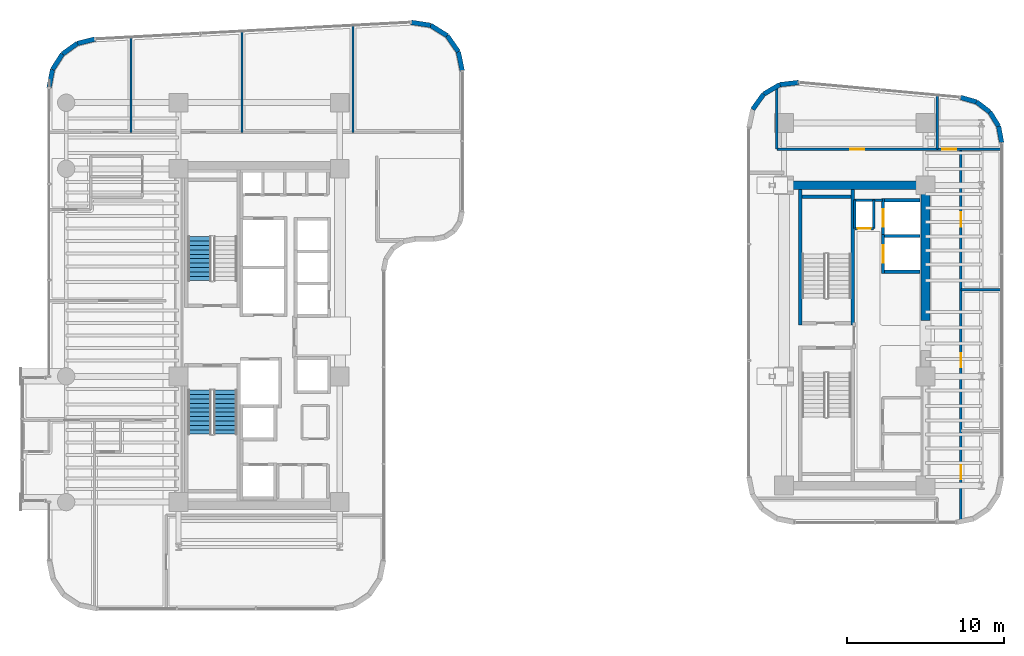
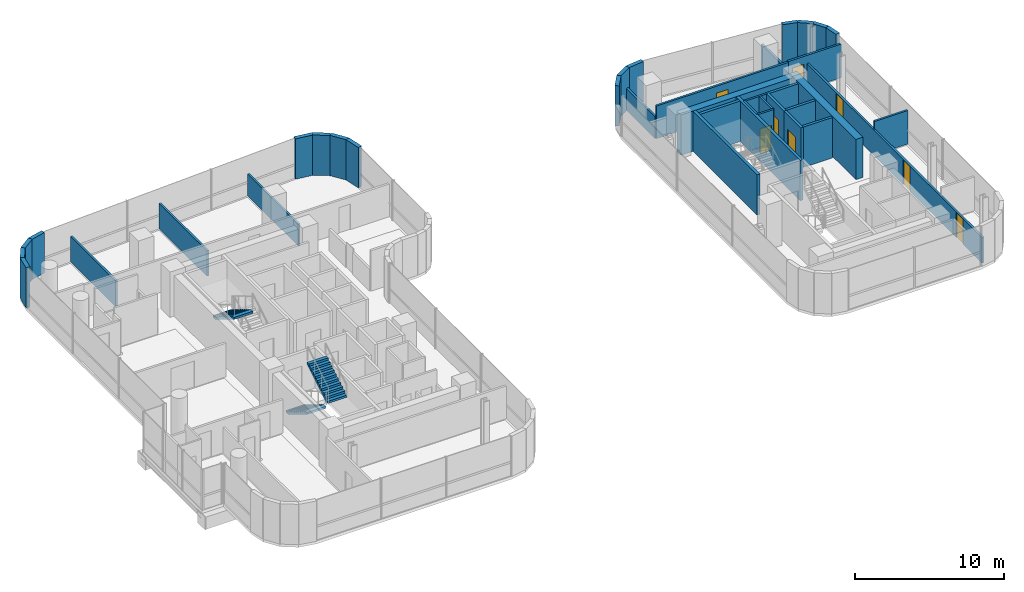
# One storey, part 30 of 35: 38 walls, 8 doors, 3 stair flights, 8 openings, 2 elements without a shape of their own.
"""IFC4 building model written with IfcOpenShell, lengths in metres."""

import ifcopenshell
import ifcopenshell.guid

model = None  # the IFC model being written
_history = None  # IfcOwnerHistory: only IFC2X3 demands one
_inside = {}  # id of a spatial element -> (the spatial element, [elements in it])
_under = {}  # id of a project, library or spatial element -> (it, [spatial elements below it])
_declared = {}  # id of a project -> (the project, [libraries it declares])
_typed = {}  # id of a type object -> (the type object, [elements of that type])
_made_of = {}  # id of a material, layer set ... -> (it, [elements and type objects made of it])


def new_model(schema):
    """Start an empty IFC model of exactly this schema.

    Asked for "IFC4X3", IfcOpenShell would pick the latest addendum, in which some entities
    have other attributes; the version numbers below select the first issue.
    IFC2X3 requires an IfcOwnerHistory on every rooted entity: one is made here for all.
    """
    global model, _history
    if schema == "IFC4X3":
        model = ifcopenshell.file(schema_version=(4, 3, 0, 0))
    else:
        model = ifcopenshell.file(schema=schema)
    _inside.clear()
    _under.clear()
    _declared.clear()
    _typed.clear()
    _made_of.clear()
    _history = None
    if model.schema == "IFC2X3":
        org = make("IfcOrganization", Name="unknown")
        user = make(
            "IfcPersonAndOrganization",
            ThePerson=make("IfcPerson", FamilyName="unknown"),
            TheOrganization=org,
        )
        app = make(
            "IfcApplication",
            ApplicationDeveloper=org,
            Version="unknown",
            ApplicationFullName="unknown",
            ApplicationIdentifier="unknown",
        )
        _history = make(
            "IfcOwnerHistory",
            OwningUser=user,
            OwningApplication=app,
            ChangeAction="ADDED",
            CreationDate=0,
        )
    return model


def make(cls, **values):
    """One entity of the class cls with the attributes given. An attribute that is None is left unset."""
    return model.create_entity(
        cls, **{name: value for name, value in values.items() if value is not None}
    )


def rooted(cls, **values):
    """An entity with a GlobalId (a new one), such as an element, a storey or a relation."""
    return make(cls, GlobalId=ifcopenshell.guid.new(), OwnerHistory=_history, **values)


def si_unit(unit_type, name, prefix=None):
    """IfcSIUnit, for example si_unit("LENGTHUNIT", "METRE", prefix="MILLI")."""
    return make("IfcSIUnit", UnitType=unit_type, Prefix=prefix, Name=name)


def assignment(units):
    """IfcUnitAssignment: the units of a project."""
    return None if units is None else make("IfcUnitAssignment", Units=units)


def point(xyz):
    """IfcCartesianPoint."""
    return None if xyz is None else make("IfcCartesianPoint", Coordinates=xyz)


def direction(xyz):
    """IfcDirection."""
    return None if xyz is None else make("IfcDirection", DirectionRatios=xyz)


def frame(location, z_axis=None, x_axis=None):
    """IfcAxis2Placement3D, a coordinate frame: its origin and axes. An axis left out is left unset."""
    return make(
        "IfcAxis2Placement3D",
        Location=point(location),
        Axis=direction(z_axis),
        RefDirection=direction(x_axis),
    )


def frame_2d(location, x_axis=None):
    """IfcAxis2Placement2D, a coordinate frame in the plane: its origin and x axis."""
    return make(
        "IfcAxis2Placement2D", Location=point(location), RefDirection=direction(x_axis)
    )


def origin():
    """The frame at (0, 0, 0) with its axes left unset."""
    return frame((0.0, 0.0, 0.0))


def place(relative_to, where):
    """IfcLocalPlacement: puts the frame where relative to a parent placement (None: the world)."""
    return make(
        "IfcLocalPlacement", PlacementRelTo=relative_to, RelativePlacement=where
    )


def context(
    kind, dimensions, precision=None, world=None, true_north=None, identifier=None
):
    """IfcGeometricRepresentationContext, for example the 3D "Model" context."""
    return make(
        "IfcGeometricRepresentationContext",
        ContextIdentifier=identifier,
        ContextType=kind,
        CoordinateSpaceDimension=dimensions,
        Precision=precision,
        WorldCoordinateSystem=world,
        TrueNorth=true_north,
    )


def subcontext(parent, identifier, kind, view, scale=None):
    """IfcGeometricRepresentationSubContext, for example "Body" below "Model"."""
    return make(
        "IfcGeometricRepresentationSubContext",
        ContextIdentifier=identifier,
        ContextType=kind,
        ParentContext=parent,
        TargetScale=scale,
        TargetView=view,
    )


def project(units=None, contexts=None):
    """IfcProject with its units and contexts."""
    return rooted(
        "IfcProject",
        Name="project",
        RepresentationContexts=contexts,
        UnitsInContext=assignment(units),
    )


def spatial(cls, under=None, at=None, **own):
    """A site, building, storey or space (cls), placed at a placement, below another one or the project."""
    s = rooted(cls, ObjectPlacement=at, **own)
    if under is not None:
        _under.setdefault(under.id(), (under, []))[1].append(s)
    return s


def polyline(points):
    """IfcPolyline through the points."""
    return make("IfcPolyline", Points=[point(p) for p in points])


def profile(cls, at=None, kind="AREA", **sizes):
    """A parametric profile (cls). Its sizes go by their IFC names, for example OverallWidth=200.0."""
    return make(cls, ProfileType=kind, Position=at, **sizes)


def rectangle(**sizes):
    """IfcRectangleProfileDef."""
    return profile("IfcRectangleProfileDef", **sizes)


def outline(outer, holes=None, kind="AREA"):
    """IfcArbitraryClosedProfileDef: a profile drawn as a closed curve; with holes, ...WithVoids."""
    if holes is None:
        return make("IfcArbitraryClosedProfileDef", ProfileType=kind, OuterCurve=outer)
    return make(
        "IfcArbitraryProfileDefWithVoids",
        ProfileType=kind,
        OuterCurve=outer,
        InnerCurves=holes,
    )


def extrude(swept, where, along, depth):
    """IfcExtrudedAreaSolid: the profile swept, set in the frame where, extruded along a direction by depth."""
    return make(
        "IfcExtrudedAreaSolid",
        SweptArea=swept,
        Position=where,
        ExtrudedDirection=direction(along),
        Depth=depth,
    )


def shape(context_of_items, identifier, shape_type, items):
    """IfcShapeRepresentation: the items that make up one representation, for example the "Body"."""
    return make(
        "IfcShapeRepresentation",
        ContextOfItems=context_of_items,
        RepresentationIdentifier=identifier,
        RepresentationType=shape_type,
        Items=items,
    )


def material(Name=None, Category=None):
    """IfcMaterial."""
    return make("IfcMaterial", Name=Name, Category=Category)


def layer(
    of_material, thickness, ventilated=None, Name=None, Category=None, Priority=None
):
    """IfcMaterialLayer: one layer of a wall or slab, of a material (None: an air gap)."""
    return make(
        "IfcMaterialLayer",
        Material=of_material,
        LayerThickness=thickness,
        IsVentilated=ventilated,
        Name=Name,
        Category=Category,
        Priority=Priority,
    )


def layer_set(layers, Name=None):
    """IfcMaterialLayerSet."""
    return make("IfcMaterialLayerSet", MaterialLayers=layers, LayerSetName=Name)


def made_of(thing, what):
    """Note that an element or type object is made of a material, layer set ...; save() writes the relation."""
    if what is not None:
        _made_of.setdefault(what.id(), (what, []))[1].append(thing)
    return thing


def type_object(cls, material=None, **own):
    """A type object (cls), such as IfcWallType, which elements share."""
    return made_of(rooted(cls, **own), material)


def element(
    cls,
    number,
    at=None,
    inside=None,
    cuts=None,
    type_object=None,
    material=None,
    context=None,
    identifier="Body",
    shape_type=None,
    held_by="IfcProductDefinitionShape",
    body=None,
    shapes=None,
    **own,
):
    """One element of the class cls, such as IfcWall. Its Tag is "e" and its number.

    at: its placement. inside: the storey or other place that contains it. cuts: it is an
    opening in that element (IfcRelVoidsElement). A single representation is given by context,
    identifier, shape_type and body (its items); several are given by shapes. held_by: the class
    of the entity that holds the representations. save() writes the other relations.
    """
    e = rooted(cls, Tag="e%d" % number, ObjectPlacement=at, **own)
    if body is not None:
        shapes = [shape(context, identifier, shape_type, body)]
    if shapes is not None:
        e.Representation = make(held_by, Representations=shapes)
    if inside is not None:
        _inside.setdefault(inside.id(), (inside, []))[1].append(e)
    if cuts is not None:
        rooted(
            "IfcRelVoidsElement", RelatingBuildingElement=cuts, RelatedOpeningElement=e
        )
    if type_object is not None:
        _typed.setdefault(type_object.id(), (type_object, []))[1].append(e)
    return made_of(e, material)


def fill(opening, filler):
    """IfcRelFillsElement: the door or window that sits in an opening."""
    return rooted(
        "IfcRelFillsElement",
        RelatingOpeningElement=opening,
        RelatedBuildingElement=filler,
    )


def aggregate(whole, parts):
    """IfcRelAggregates: a whole, such as a stair, and the parts it consists of."""
    return rooted("IfcRelAggregates", RelatingObject=whole, RelatedObjects=parts)


def save(model, path):
    """Write the relations noted so far, then the file.

    IfcRelAggregates (storeys below a building ...), IfcRelContainedInSpatialStructure (elements
    in a storey), IfcRelDefinesByType, IfcRelAssociatesMaterial and IfcRelDeclares: one each for
    every whole, place, type object, material and project.
    """
    for whole, parts in _under.values():
        aggregate(whole, parts)
    for where, things in _inside.values():
        rooted(
            "IfcRelContainedInSpatialStructure",
            RelatedElements=things,
            RelatingStructure=where,
        )
    for kind, things in _typed.values():
        rooted("IfcRelDefinesByType", RelatedObjects=things, RelatingType=kind)
    for what, things in _made_of.values():
        rooted("IfcRelAssociatesMaterial", RelatedObjects=things, RelatingMaterial=what)
    for by, libraries in _declared.values():
        rooted("IfcRelDeclares", RelatingContext=by, RelatedDefinitions=libraries)
    model.write(path)


model = new_model("IFC4")

# Units and contexts
model_context = context("Model", 3, precision=1e-05, world=origin(), true_north=direction((0.0, 1.0)))
body_context = subcontext(model_context, "Body", "Model", "MODEL_VIEW")
ifc_project = project(units=[si_unit("LENGTHUNIT", "METRE"), si_unit("AREAUNIT", "SQUARE_METRE"), si_unit("VOLUMEUNIT", "CUBIC_METRE"), si_unit("PLANEANGLEUNIT", "RADIAN"), si_unit("MASSUNIT", "GRAM", prefix="KILO")], contexts=[model_context])

# Site, building, storey
site_placement = place(None, origin())
site = spatial("IfcSite", under=ifc_project, at=site_placement, CompositionType="ELEMENT")
building_placement = place(site_placement, origin())
building = spatial("IfcBuilding", under=site, at=building_placement, Name="Valdorenza Pilgrim Sanctuary Tower", CompositionType="ELEMENT")
storey_placement = place(building_placement, frame((0.0, 0.0, 168.60009765625)))
storey = spatial("IfcBuildingStorey", under=building, at=storey_placement, Name="L43", CompositionType="ELEMENT", Elevation=168.60009765625)

# Wall, opening, door
ifc_material_1 = material(Name="Acoustic twin-stud gypsum partition", Category="gypsum")
ifc_layer_1 = layer(ifc_material_1, 0.159912109375, Name="Acoustic twin-stud gypsum partition")
ifc_layer_set_1 = layer_set([ifc_layer_1], Name="Acoustic twin-stud gypsum partition")
wall_type_1 = type_object("IfcWallType", Name="WAL-COR-160", PredefinedType="PARTITIONING", material=ifc_layer_set_1)
wall_1_placement = place(storey_placement, frame((20.35009765625, 6.800048828125, 0.0), z_axis=(0.0, 0.0, 1.0), x_axis=(1.0, 0.0, 0.0)))
wall_1 = element("IfcWall", 1, at=wall_1_placement, inside=storey, type_object=wall_type_1, Name="L43 Core B Riser South Wall", PredefinedType="PARTITIONING", context=body_context, shape_type="SweptSolid", body=[
    extrude(rectangle(XDim=1.199951171875, YDim=0.159912109375, at=frame_2d((0.60009765625, 0.0))), origin(), (0.0, 0.0, 1.0), 3.2998046875),
])
opening_1_placement = place(wall_1_placement, frame((0.175048828125, 0.0, 0.0)))
opening_1 = element("IfcOpeningElement", 2, at=opening_1_placement, cuts=wall_1, Name="Opening DR-RS1", PredefinedType="OPENING", context=body_context, shape_type="SweptSolid", body=[
    extrude(rectangle(XDim=0.85009765625, YDim=2.050048828125, at=frame_2d((0.425048828125, 1.02490234375))), frame((0.0, 0.0947265625, 0.0), z_axis=(0.0, -1.0, 0.0), x_axis=(1.0, 0.0, 0.0)), (0.0, 0.0, 1.0), 0.189697265625),
])
ifc_material_2 = material(Name="Painted galvanized steel", Category="steel")
door_type_1 = type_object("IfcDoorType", Name="DR-RSR-850", OperationType="NOTDEFINED", PredefinedType="DOOR", material=ifc_material_2)
door_1_placement = place(opening_1_placement, origin())
door_1 = element("IfcDoor", 3, at=door_1_placement, inside=storey, type_object=door_type_1, Name="L43 Core B Electrical Riser Door", OperationType="SINGLE_SWING_LEFT", OverallHeight=2.050048828125, OverallWidth=0.85009765625, PredefinedType="DOOR", context=body_context, shape_type="SweptSolid", body=[
    extrude(rectangle(XDim=0.85009765625, YDim=2.050048828125, at=frame_2d((0.425048828125, 1.02490234375))), frame((0.0, 0.02490234375, 0.0), z_axis=(0.0, -1.0, 0.0), x_axis=(1.0, 0.0, 0.0)), (0.0, 0.0, 1.0), 0.050048828125),
])
fill(opening_1, door_1)

# Walls
for number, where, z_axis, x_axis, name in (
    (4, (21.550048828125, 6.800048828125, 0.0), (0.0, 0.0, 1.0), (0.0, 1.0, 0.0), "L43 Core B Riser East Wall"),
    (5, (20.35009765625, 6.800048828125, 0.0), (0.0, 0.0, 1.0), (0.0, 1.0, 0.0), "L43 Core B Riser West Wall"),
):
    element("IfcWall", number, at=place(storey_placement, frame(where, z_axis=z_axis, x_axis=x_axis)), inside=storey, type_object=wall_type_1, Name=name, PredefinedType="PARTITIONING", context=body_context, shape_type="SweptSolid", body=[
        extrude(rectangle(XDim=1.800048828125, YDim=0.159912109375, at=frame_2d((0.89990234375, 0.0))), origin(), (0.0, 0.0, 1.0), 3.2998046875),
    ])
wall_2_placement = place(storey_placement, frame((20.300048828125, 8.60009765625, 0.0), z_axis=(0.0, 0.0, 1.0), x_axis=(1.0, 0.0, 0.0)))
element("IfcWall", 6, at=wall_2_placement, inside=storey, type_object=wall_type_1, Name="L43 Core B Lift Hall North End Wall", PredefinedType="PARTITIONING", context=body_context, shape_type="SweptSolid", body=[
    extrude(rectangle(XDim=1.820068359375, YDim=0.159912109375, at=frame_2d((0.91015625, 0.0))), origin(), (0.0, 0.0, 1.0), 3.2998046875),
])

# Wall, opening, door
wall_3_placement = place(storey_placement, frame((15.39990234375, 11.85009765625, 0.0), z_axis=(0.0, 0.0, 1.0), x_axis=(1.0, 0.0, 0.0)))
wall_3 = element("IfcWall", 7, at=wall_3_placement, inside=storey, type_object=wall_type_1, Name="L43 Wing B North Corridor Wall", PredefinedType="PARTITIONING", context=body_context, shape_type="SweptSolid", body=[
    extrude(rectangle(XDim=10.2001953125, YDim=0.159912109375, at=frame_2d((5.10009765625, 0.0))), origin(), (0.0, 0.0, 1.0), 2.673828125),
])
opening_2_placement = place(wall_3_placement, frame((4.64990234375, 0.0, 0.0)))
opening_2 = element("IfcOpeningElement", 8, at=opening_2_placement, cuts=wall_3, Name="Opening DR-RM1", PredefinedType="OPENING", context=body_context, shape_type="SweptSolid", body=[
    extrude(rectangle(XDim=0.89990234375, YDim=2.10009765625, at=frame_2d((0.449951171875, 1.050048828125))), frame((0.0, 0.0947265625, 0.0), z_axis=(0.0, -1.0, 0.0), x_axis=(1.0, 0.0, 0.0)), (0.0, 0.0, 1.0), 0.189697265625),
])
ifc_material_3 = material(Name="Solid-core European oak timber", Category="wood")
door_type_2 = type_object("IfcDoorType", Name="DR-ROOM-900", OperationType="NOTDEFINED", PredefinedType="DOOR", material=ifc_material_3)
door_2_placement = place(opening_2_placement, origin())
door_2 = element("IfcDoor", 9, at=door_2_placement, inside=storey, type_object=door_type_2, Name="L43 Curator Research Office L43-BN1 Door", OperationType="SINGLE_SWING_RIGHT", OverallHeight=2.10009765625, OverallWidth=0.89990234375, PredefinedType="DOOR", context=body_context, shape_type="SweptSolid", body=[
    extrude(rectangle(XDim=0.89990234375, YDim=2.10009765625, at=frame_2d((0.449951171875, 1.050048828125))), frame((0.0, 0.02490234375, 0.0), z_axis=(0.0, -1.0, 0.0), x_axis=(1.0, 0.0, 0.0)), (0.0, 0.0, 1.0), 0.050048828125),
])
fill(opening_2, door_2)

# Walls
wall_4_placement = place(storey_placement, frame((15.39990234375, 11.85009765625, 0.0), z_axis=(0.0, 0.0, 1.0), x_axis=(0.0, 1.0, 0.0)))
element("IfcWall", 10, at=wall_4_placement, inside=storey, type_object=wall_type_1, Name="L43 Wing B North West Wall", PredefinedType="PARTITIONING", context=body_context, shape_type="SweptSolid", body=[
    extrude(rectangle(XDim=3.846923828125, YDim=0.159912109375, at=frame_2d((1.92333984375, 0.0))), origin(), (0.0, 0.0, 1.0), 1.784912109375),
])
wall_5_placement = place(storey_placement, frame((25.60009765625, 11.85009765625, 0.0), z_axis=(0.0, 0.0, 1.0), x_axis=(0.0, 1.0, 0.0)))
element("IfcWall", 11, at=wall_5_placement, inside=storey, type_object=wall_type_1, Name="L43 Wing B North East Wall", PredefinedType="PARTITIONING", context=body_context, shape_type="SweptSolid", body=[
    extrude(rectangle(XDim=3.426025390625, YDim=0.159912109375, at=frame_2d((1.712890625, 0.0))), origin(), (0.0, 0.0, 1.0), 2.0849609375),
])

# Wall, openings, doors
wall_6_placement = place(storey_placement, frame((27.10009765625, -11.70068359375, 0.0), z_axis=(0.0, 0.0, 1.0), x_axis=(0.0, 1.0, 0.0)))
wall_6 = element("IfcWall", 12, at=wall_6_placement, inside=storey, type_object=wall_type_1, Name="L43 Wing B East Corridor Wall", PredefinedType="PARTITIONING", context=body_context, shape_type="SweptSolid", body=[
    extrude(rectangle(XDim=23.55078125, YDim=0.159912109375, at=frame_2d((11.775390625, 0.0))), origin(), (0.0, 0.0, 1.0), 2.0849609375),
])
opening_3_placement = place(wall_6_placement, frame((2.56005859375, 0.0, 0.0)))
opening_3 = element("IfcOpeningElement", 13, at=opening_3_placement, cuts=wall_6, Name="Opening DR-RM2", PredefinedType="OPENING", context=body_context, shape_type="SweptSolid", body=[
    extrude(rectangle(XDim=0.89990234375, YDim=2.0400390625, at=frame_2d((0.449951171875, 1.02001953125))), frame((0.0, 0.0947265625, 0.0), z_axis=(0.0, -1.0, 0.0), x_axis=(1.0, 0.0, 0.0)), (0.0, 0.0, 1.0), 0.189697265625),
])
opening_4_placement = place(wall_6_placement, frame((9.676025390625, 0.0, 0.0)))
opening_4 = element("IfcOpeningElement", 14, at=opening_4_placement, cuts=wall_6, Name="Opening DR-RM2", PredefinedType="OPENING", context=body_context, shape_type="SweptSolid", body=[
    extrude(rectangle(XDim=0.89990234375, YDim=2.0400390625, at=frame_2d((0.449951171875, 1.02001953125))), frame((0.0, 0.0947265625, 0.0), z_axis=(0.0, -1.0, 0.0), x_axis=(1.0, 0.0, 0.0)), (0.0, 0.0, 1.0), 0.189697265625),
])
opening_5_placement = place(wall_6_placement, frame((18.6259765625, 0.0, 0.0)))
opening_5 = element("IfcOpeningElement", 15, at=opening_5_placement, cuts=wall_6, Name="Opening DR-RM2", PredefinedType="OPENING", context=body_context, shape_type="SweptSolid", body=[
    extrude(rectangle(XDim=0.89990234375, YDim=2.0400390625, at=frame_2d((0.449951171875, 1.02001953125))), frame((0.0, 0.0947265625, 0.0), z_axis=(0.0, -1.0, 0.0), x_axis=(1.0, 0.0, 0.0)), (0.0, 0.0, 1.0), 0.189697265625),
])
door_type_3 = type_object("IfcDoorType", Name="DR-ROOM-900L", OperationType="NOTDEFINED", PredefinedType="DOOR", material=ifc_material_3)
door_3_placement = place(opening_3_placement, frame((0.89990234375, 0.0, 0.0), z_axis=(0.0, 0.0, 1.0), x_axis=(-1.0, 0.0, 0.0)))
door_3 = element("IfcDoor", 16, at=door_3_placement, inside=storey, type_object=door_type_3, Name="L43 Open Plan Scholar Office L43-EB1 Door", OperationType="SINGLE_SWING_LEFT", OverallHeight=2.0400390625, OverallWidth=0.89990234375, PredefinedType="DOOR", context=body_context, shape_type="SweptSolid", body=[
    extrude(rectangle(XDim=0.89990234375, YDim=2.0400390625, at=frame_2d((0.449951171875, 1.02001953125))), frame((0.0, 0.02490234375, 0.0), z_axis=(0.0, -1.0, 0.0), x_axis=(1.0, 0.0, 0.0)), (0.0, 0.0, 1.0), 0.050048828125),
])
fill(opening_3, door_3)
door_4_placement = place(opening_4_placement, origin())
door_4 = element("IfcDoor", 17, at=door_4_placement, inside=storey, type_object=door_type_3, Name="L43 Open Plan Scholar Office L43-EB2 Door", OperationType="SINGLE_SWING_RIGHT", OverallHeight=2.0400390625, OverallWidth=0.89990234375, PredefinedType="DOOR", context=body_context, shape_type="SweptSolid", body=[
    extrude(rectangle(XDim=0.89990234375, YDim=2.0400390625, at=frame_2d((0.449951171875, 1.02001953125))), frame((0.0, 0.02490234375, 0.0), z_axis=(0.0, -1.0, 0.0), x_axis=(1.0, 0.0, 0.0)), (0.0, 0.0, 1.0), 0.050048828125),
])
fill(opening_4, door_4)
door_5_placement = place(opening_5_placement, frame((0.89990234375, 0.0, 0.0), z_axis=(0.0, 0.0, 1.0), x_axis=(-1.0, 0.0, 0.0)))
door_5 = element("IfcDoor", 18, at=door_5_placement, inside=storey, type_object=door_type_3, Name="L43 Open Plan Scholar Office L43-EB3 Door", OperationType="SINGLE_SWING_LEFT", OverallHeight=2.0400390625, OverallWidth=0.89990234375, PredefinedType="DOOR", context=body_context, shape_type="SweptSolid", body=[
    extrude(rectangle(XDim=0.89990234375, YDim=2.0400390625, at=frame_2d((0.449951171875, 1.02001953125))), frame((0.0, 0.02490234375, 0.0), z_axis=(0.0, -1.0, 0.0), x_axis=(1.0, 0.0, 0.0)), (0.0, 0.0, 1.0), 0.050048828125),
])
fill(opening_5, door_5)

# Wall, opening, door
wall_7_placement = place(storey_placement, frame((25.60009765625, 11.85009765625, 0.0), z_axis=(0.0, 0.0, 1.0), x_axis=(1.0, 0.0, 0.0)))
wall_7 = element("IfcWall", 19, at=wall_7_placement, inside=storey, type_object=wall_type_1, Name="L43 East Wing NE Corner South Wall", PredefinedType="PARTITIONING", context=body_context, shape_type="SweptSolid", body=[
    extrude(rectangle(XDim=4.08984375, YDim=0.159912109375, at=frame_2d((2.044921875, 0.0))), origin(), (0.0, 0.0, 1.0), 2.745849609375),
])
opening_6_placement = place(wall_7_placement, frame((0.300048828125, 0.0, 0.0)))
opening_6 = element("IfcOpeningElement", 20, at=opening_6_placement, cuts=wall_7, Name="Opening DR-RM1", PredefinedType="OPENING", context=body_context, shape_type="SweptSolid", body=[
    extrude(rectangle(XDim=0.89990234375, YDim=2.10009765625, at=frame_2d((0.449951171875, 1.050048828125))), frame((0.0, 0.0947265625, 0.0), z_axis=(0.0, -1.0, 0.0), x_axis=(1.0, 0.0, 0.0)), (0.0, 0.0, 1.0), 0.189697265625),
])
door_6_placement = place(opening_6_placement, origin())
door_6 = element("IfcDoor", 21, at=door_6_placement, inside=storey, type_object=door_type_2, Name="L43 East North Alcove Office L43 Door", OperationType="SINGLE_SWING_RIGHT", OverallHeight=2.10009765625, OverallWidth=0.89990234375, PredefinedType="DOOR", context=body_context, shape_type="SweptSolid", body=[
    extrude(rectangle(XDim=0.89990234375, YDim=2.10009765625, at=frame_2d((0.449951171875, 1.050048828125))), frame((0.0, 0.02490234375, 0.0), z_axis=(0.0, -1.0, 0.0), x_axis=(1.0, 0.0, 0.0)), (0.0, 0.0, 1.0), 0.050048828125),
])
fill(opening_6, door_6)

# Walls
ifc_material_4 = material(Name="Concrete C50/60", Category="concrete")
ifc_layer_2 = layer(ifc_material_4, 0.550048828125, Name="Concrete C50/60")
ifc_layer_set_2 = layer_set([ifc_layer_2], Name="Concrete C50/60")
wall_type_2 = type_object("IfcWallType", Name="WAL-COR-550", PredefinedType="SHEAR", material=ifc_layer_set_2)
wall_8_placement = place(storey_placement, frame((24.85009765625, 0.949951171875, 0.0), z_axis=(0.0, 0.0, 1.0), x_axis=(0.0, 1.0, 0.0)))
element("IfcWall", 22, at=wall_8_placement, inside=storey, type_object=wall_type_2, Name="L43 Split Core B Shear Wall EN", PredefinedType="SHEAR", context=body_context, shape_type="SweptSolid", body=[
    extrude(rectangle(XDim=8.875, YDim=0.550048828125, at=frame_2d((4.4375, 0.0))), origin(), (0.0, 0.0, 1.0), 3.2998046875),
])
wall_9_placement = place(storey_placement, frame((15.85009765625, 9.550048828125, 0.0), z_axis=(0.0, 0.0, 1.0), x_axis=(1.0, 0.0, 0.0)))
element("IfcWall", 23, at=wall_9_placement, inside=storey, type_object=wall_type_2, Name="L43 Split Core B Shear Wall N", PredefinedType="SHEAR", context=body_context, shape_type="SweptSolid", body=[
    extrude(rectangle(XDim=9.0, YDim=0.550048828125, at=frame_2d((4.5, 0.0))), origin(), (0.0, 0.0, 1.0), 3.2998046875),
])
ifc_material_5 = material(Name="Honed travertine limestone", Category="masonry")
ifc_layer_3 = layer(ifc_material_5, 0.300048828125, Name="Honed travertine limestone")
ifc_layer_set_3 = layer_set([ifc_layer_3], Name="Honed travertine limestone")
wall_type_3 = type_object("IfcWallType", Name="WAL-EXT-300", PredefinedType="SOLIDWALL", material=ifc_layer_set_3)
wall_10_placement = place(storey_placement, frame((-30.889892578125, 15.754150390625, 0.0), z_axis=(0.0, 0.0, 1.0), x_axis=(0.188562397879, 0.982061210977, 0.0)))
element("IfcWall", 24, at=wall_10_placement, inside=storey, type_object=wall_type_3, Name="L43 Rounded Wind-Corner Stone Pier 2", PredefinedType="SOLIDWALL", context=body_context, shape_type="SweptSolid", body=[
    extrude(rectangle(XDim=1.175537109375, YDim=0.300048828125, at=frame_2d((0.587890625, 0.0))), origin(), (0.0, 0.0, 1.0), 3.2998046875),
])
for number, where, z_axis, x_axis, name in (
    (25, (-30.668212890625, 16.90869140625, 0.0), (0.0, 0.0, 1.0), (0.539125072412, 0.842225715766, 0.0), "L43 Rounded Wind-Corner Stone Pier 3"),
    (26, (-30.040283203125, 17.8896484375, 0.0), (0.0, 0.0, 1.0), (0.81257061936, 0.582862752758, 0.0), "L43 Rounded Wind-Corner Stone Pier 4"),
):
    element("IfcWall", number, at=place(storey_placement, frame(where, z_axis=z_axis, x_axis=x_axis)), inside=storey, type_object=wall_type_3, Name=name, PredefinedType="SOLIDWALL", context=body_context, shape_type="SweptSolid", body=[
        extrude(rectangle(XDim=1.164794921875, YDim=0.300048828125, at=frame_2d((0.58251953125, 0.0))), origin(), (0.0, 0.0, 1.0), 3.2998046875),
    ])
wall_11_placement = place(storey_placement, frame((-29.09375, 18.568603515625, 0.0), z_axis=(0.0, 0.0, 1.0), x_axis=(0.970762249107, 0.24004302887, 0.0)))
element("IfcWall", 27, at=wall_11_placement, inside=storey, type_object=wall_type_3, Name="L43 Rounded Wind-Corner Stone Pier 5", PredefinedType="SOLIDWALL", context=body_context, shape_type="SweptSolid", body=[
    extrude(rectangle(XDim=1.17578125, YDim=0.300048828125, at=frame_2d((0.587890625, 0.0))), origin(), (0.0, 0.0, 1.0), 3.2998046875),
])
wall_12_placement = place(storey_placement, frame((-7.874267578125, 19.91162109375, 0.0), z_axis=(0.0, 0.0, 1.0), x_axis=(0.988741655411, -0.149632679769, 0.0)))
element("IfcWall", 28, at=wall_12_placement, inside=storey, type_object=wall_type_3, Name="L43 Rounded Wind-Corner Stone Pier 7", PredefinedType="SOLIDWALL", context=body_context, shape_type="SweptSolid", body=[
    extrude(rectangle(XDim=1.25634765625, YDim=0.300048828125, at=frame_2d((0.628173828125, 0.0))), origin(), (0.0, 0.0, 1.0), 3.2998046875),
])
wall_13_placement = place(storey_placement, frame((-6.632080078125, 19.7236328125, 0.0), z_axis=(0.0, 0.0, 1.0), x_axis=(0.849285325289, -0.527934121126, 0.0)))
element("IfcWall", 29, at=wall_13_placement, inside=storey, type_object=wall_type_3, Name="L43 Rounded Wind-Corner Stone Pier 8", PredefinedType="SOLIDWALL", context=body_context, shape_type="SweptSolid", body=[
    extrude(rectangle(XDim=1.244384765625, YDim=0.300048828125, at=frame_2d((0.6220703125, 0.0))), origin(), (0.0, 0.0, 1.0), 3.2998046875),
])
wall_14_placement = place(storey_placement, frame((-5.5751953125, 19.066650390625, 0.0), z_axis=(0.0, 0.0, 1.0), x_axis=(0.571960670617, -0.820281044074, 0.0)))
element("IfcWall", 30, at=wall_14_placement, inside=storey, type_object=wall_type_3, Name="L43 Rounded Wind-Corner Stone Pier 9", PredefinedType="SOLIDWALL", context=body_context, shape_type="SweptSolid", body=[
    extrude(rectangle(XDim=1.24462890625, YDim=0.300048828125, at=frame_2d((0.622314453125, 0.0))), origin(), (0.0, 0.0, 1.0), 3.2998046875),
])
wall_15_placement = place(storey_placement, frame((-4.86328125, 18.045654296875, 0.0), z_axis=(0.0, 0.0, 1.0), x_axis=(0.201532282172, -0.97948187285, 0.0)))
element("IfcWall", 31, at=wall_15_placement, inside=storey, type_object=wall_type_3, Name="L43 Rounded Wind-Corner Stone Pier 10", PredefinedType="SOLIDWALL", context=body_context, shape_type="SweptSolid", body=[
    extrude(rectangle(XDim=1.25634765625, YDim=0.300048828125, at=frame_2d((0.628173828125, 0.0))), origin(), (0.0, 0.0, 1.0), 3.2998046875),
])
for number, where, z_axis, x_axis, name in (
    (32, (13.858154296875, 14.377197265625, 0.0), (0.0, 0.0, 1.0), (0.583948425707, 0.811790758825, 0.0), "L43 Rounded Wind-Corner Stone Pier 3"),
    (33, (14.553955078125, 15.344482421875, 0.0), (0.0, 0.0, 1.0), (0.861907880486, 0.507064892846, 0.0), "L43 Rounded Wind-Corner Stone Pier 4"),
):
    element("IfcWall", number, at=place(storey_placement, frame(where, z_axis=z_axis, x_axis=x_axis)), inside=storey, type_object=wall_type_3, Name=name, PredefinedType="SOLIDWALL", context=body_context, shape_type="SweptSolid", body=[
        extrude(rectangle(XDim=1.191650390625, YDim=0.300048828125, at=frame_2d((0.595703125, 0.0))), origin(), (0.0, 0.0, 1.0), 3.2998046875),
    ])
wall_16_placement = place(storey_placement, frame((15.5810546875, 15.94873046875, 0.0), z_axis=(0.0, 0.0, 1.0), x_axis=(0.993288417722, 0.115663819837, 0.0)))
element("IfcWall", 34, at=wall_16_placement, inside=storey, type_object=wall_type_3, Name="L43 Rounded Wind-Corner Stone Pier 5", PredefinedType="SOLIDWALL", context=body_context, shape_type="SweptSolid", body=[
    extrude(rectangle(XDim=1.203125, YDim=0.300048828125, at=frame_2d((0.6015625, 0.0))), origin(), (0.0, 0.0, 1.0), 3.2998046875),
])
wall_17_placement = place(storey_placement, frame((27.0546875, 15.14208984375, 0.0), z_axis=(0.0, 0.0, 1.0), x_axis=(0.962012179147, -0.273006533206, 0.0)))
element("IfcWall", 35, at=wall_17_placement, inside=storey, type_object=wall_type_3, Name="L43 Rounded Wind-Corner Stone Pier 7", PredefinedType="SOLIDWALL", context=body_context, shape_type="SweptSolid", body=[
    extrude(rectangle(XDim=1.072265625, YDim=0.300048828125, at=frame_2d((0.5361328125, 0.0))), origin(), (0.0, 0.0, 1.0), 3.2998046875),
])
for number, where, z_axis, x_axis, name in (
    (36, (28.086181640625, 14.849365234375, 0.0), (0.0, 0.0, 1.0), (0.798147425144, -0.602462187806, 0.0), "L43 Rounded Wind-Corner Stone Pier 8"),
    (37, (28.93359375, 14.209716796875, 0.0), (0.0, 0.0, 1.0), (0.52675032424, -0.850020056183, 0.0), "L43 Rounded Wind-Corner Stone Pier 9"),
):
    element("IfcWall", number, at=place(storey_placement, frame(where, z_axis=z_axis, x_axis=x_axis)), inside=storey, type_object=wall_type_3, Name=name, PredefinedType="SOLIDWALL", context=body_context, shape_type="SweptSolid", body=[
        extrude(rectangle(XDim=1.061767578125, YDim=0.300048828125, at=frame_2d((0.53076171875, 0.0))), origin(), (0.0, 0.0, 1.0), 3.2998046875),
    ])
wall_18_placement = place(storey_placement, frame((29.492919921875, 13.30712890625, 0.0), z_axis=(0.0, 0.0, 1.0), x_axis=(0.183752343116, -0.98297257154, 0.0)))
element("IfcWall", 38, at=wall_18_placement, inside=storey, type_object=wall_type_3, Name="L43 Rounded Wind-Corner Stone Pier 10", PredefinedType="SOLIDWALL", context=body_context, shape_type="SweptSolid", body=[
    extrude(rectangle(XDim=1.072265625, YDim=0.300048828125, at=frame_2d((0.5361328125, 0.0))), origin(), (0.0, 0.0, 1.0), 3.2998046875),
])

# Wall, opening, door
ifc_material_6 = material(Name="Autoclaved aerated concrete blockwork", Category="masonry")
ifc_layer_4 = layer(ifc_material_6, 0.199951171875, Name="Autoclaved aerated concrete blockwork")
ifc_layer_set_4 = layer_set([ifc_layer_4], Name="Autoclaved aerated concrete blockwork")
wall_type_4 = type_object("IfcWallType", Name="WAL-SHF-200", PredefinedType="MOVABLE", material=ifc_layer_set_4)
wall_19_placement = place(storey_placement, frame((22.14990234375, 3.949951171875, 0.0), z_axis=(0.0, 0.0, 1.0), x_axis=(0.0, 1.0, 0.0)))
wall_19 = element("IfcWall", 39, at=wall_19_placement, inside=storey, type_object=wall_type_4, Name="L43 Lift PL-07 Hoistway Wall West", PredefinedType="MOVABLE", context=body_context, shape_type="SweptSolid", body=[
    extrude(rectangle(XDim=2.47509765625, YDim=0.199951171875, at=frame_2d((1.237548828125, 0.0))), origin(), (0.0, 0.0, 1.0), 3.2998046875),
])
opening_7_placement = place(wall_19_placement, frame((0.6875, 0.0, 0.0)))
opening_7 = element("IfcOpeningElement", 40, at=opening_7_placement, cuts=wall_19, Name="Opening LD-01", PredefinedType="OPENING", context=body_context, shape_type="SweptSolid", body=[
    extrude(rectangle(XDim=1.10009765625, YDim=2.10009765625, at=frame_2d((0.550048828125, 1.050048828125))), frame((0.0, 0.11474609375, 0.0), z_axis=(0.0, -1.0, 0.0), x_axis=(1.0, 0.0, 0.0)), (0.0, 0.0, 1.0), 0.229736328125),
])
ifc_material_7 = material(Name="Brushed stainless steel Grade 316", Category="steel")
door_type_4 = type_object("IfcDoorType", Name="DR-LFT-1100", OperationType="DOUBLE_DOOR_SLIDING", PredefinedType="DOOR", material=ifc_material_7)
door_7_placement = place(opening_7_placement, origin())
door_7 = element("IfcDoor", 41, at=door_7_placement, inside=storey, type_object=door_type_4, Name="L43 Lift PL-07 Sliding Landing Door", OperationType="DOUBLE_DOOR_SLIDING", OverallHeight=2.10009765625, OverallWidth=1.10009765625, PredefinedType="DOOR", context=body_context, shape_type="SweptSolid", body=[
    extrude(rectangle(XDim=1.10009765625, YDim=2.10009765625, at=frame_2d((0.550048828125, 1.050048828125))), frame((0.0, 0.02490234375, 0.0), z_axis=(0.0, -1.0, 0.0), x_axis=(1.0, 0.0, 0.0)), (0.0, 0.0, 1.0), 0.050048828125),
])
fill(opening_7, door_7)

# Walls
for number, where, z_axis, x_axis, name in (
    (42, (22.25, 4.050048828125, 0.0), (0.0, 0.0, 1.0), (1.0, 0.0, 0.0), "L43 Lift PL-07 Hoistway Wall South"),
    (43, (22.25, 6.324951171875, 0.0), (0.0, 0.0, 1.0), (1.0, 0.0, 0.0), "L43 Lift PL-07 Hoistway Wall North"),
):
    element("IfcWall", number, at=place(storey_placement, frame(where, z_axis=z_axis, x_axis=x_axis)), inside=storey, type_object=wall_type_4, Name=name, PredefinedType="MOVABLE", context=body_context, shape_type="SweptSolid", body=[
        extrude(rectangle(XDim=2.22998046875, YDim=0.199951171875, at=frame_2d((1.114990234375, 0.0))), origin(), (0.0, 0.0, 1.0), 3.2998046875),
    ])

# Wall, opening, door
wall_20_placement = place(storey_placement, frame((22.14990234375, 6.22509765625, 0.0), z_axis=(0.0, 0.0, 1.0), x_axis=(0.0, 1.0, 0.0)))
wall_20 = element("IfcWall", 44, at=wall_20_placement, inside=storey, type_object=wall_type_4, Name="L43 Lift PL-08 Hoistway Wall West", PredefinedType="MOVABLE", context=body_context, shape_type="SweptSolid", body=[
    extrude(rectangle(XDim=2.474853515625, YDim=0.199951171875, at=frame_2d((1.2373046875, 0.0))), origin(), (0.0, 0.0, 1.0), 3.2998046875),
])
opening_8_placement = place(wall_20_placement, frame((0.6875, 0.0, 0.0)))
opening_8 = element("IfcOpeningElement", 45, at=opening_8_placement, cuts=wall_20, Name="Opening LD-01", PredefinedType="OPENING", context=body_context, shape_type="SweptSolid", body=[
    extrude(rectangle(XDim=1.10009765625, YDim=2.10009765625, at=frame_2d((0.550048828125, 1.050048828125))), frame((0.0, 0.11474609375, 0.0), z_axis=(0.0, -1.0, 0.0), x_axis=(1.0, 0.0, 0.0)), (0.0, 0.0, 1.0), 0.229736328125),
])
door_8_placement = place(opening_8_placement, origin())
door_8 = element("IfcDoor", 46, at=door_8_placement, inside=storey, type_object=door_type_4, Name="L43 Lift PL-08 Sliding Landing Door", OperationType="DOUBLE_DOOR_SLIDING", OverallHeight=2.10009765625, OverallWidth=1.10009765625, PredefinedType="DOOR", context=body_context, shape_type="SweptSolid", body=[
    extrude(rectangle(XDim=1.10009765625, YDim=2.10009765625, at=frame_2d((0.550048828125, 1.050048828125))), frame((0.0, 0.02490234375, 0.0), z_axis=(0.0, -1.0, 0.0), x_axis=(1.0, 0.0, 0.0)), (0.0, 0.0, 1.0), 0.050048828125),
])
fill(opening_8, door_8)

# Walls
wall_21_placement = place(storey_placement, frame((22.25, 8.60009765625, 0.0), z_axis=(0.0, 0.0, 1.0), x_axis=(1.0, 0.0, 0.0)))
element("IfcWall", 47, at=wall_21_placement, inside=storey, type_object=wall_type_4, Name="L43 Lift PL-08 Hoistway Wall North", PredefinedType="MOVABLE", context=body_context, shape_type="SweptSolid", body=[
    extrude(rectangle(XDim=2.22998046875, YDim=0.199951171875, at=frame_2d((1.114990234375, 0.0))), origin(), (0.0, 0.0, 1.0), 3.2998046875),
])
ifc_material_8 = material(Name="Concrete C40/50", Category="concrete")
ifc_layer_5 = layer(ifc_material_8, 0.219970703125, Name="Concrete C40/50")
ifc_layer_set_5 = layer_set([ifc_layer_5], Name="Concrete C40/50")
wall_type_5 = type_object("IfcWallType", Name="WAL-STR-SHF-220", PredefinedType="SHEAR", material=ifc_layer_set_5)
for number, where, z_axis, x_axis, name in (
    (48, (16.889892578125, 0.679931640625, 0.0), (0.0, 0.0, 1.0), (0.0, 1.0, 0.0), "L43 ST-B1 Structural Stairwell Wall W"),
    (49, (20.219970703125, 0.679931640625, 0.0), (0.0, 0.0, 1.0), (0.0, 1.0, 0.0), "L43 ST-B1 Structural Stairwell Wall E"),
):
    element("IfcWall", number, at=place(storey_placement, frame(where, z_axis=z_axis, x_axis=x_axis)), inside=storey, type_object=wall_type_5, Name=name, PredefinedType="SHEAR", context=body_context, shape_type="SweptSolid", body=[
        extrude(rectangle(XDim=8.594970703125, YDim=0.219970703125, at=frame_2d((4.29736328125, 0.0))), origin(), (0.0, 0.0, 1.0), 3.2998046875),
    ])
wall_22_placement = place(storey_placement, frame((17.0, 8.81005859375, 0.0), z_axis=(0.0, 0.0, 1.0), x_axis=(1.0, 0.0, 0.0)))
element("IfcWall", 50, at=wall_22_placement, inside=storey, type_object=wall_type_5, Name="L43 ST-B1 Structural Stairwell Wall N", PredefinedType="SHEAR", context=body_context, shape_type="SweptSolid", body=[
    extrude(rectangle(XDim=3.110107421875, YDim=0.219970703125, at=frame_2d((1.55517578125, 0.0))), origin(), (0.0, 0.0, 1.0), 3.2998046875),
])
ifc_layer_6 = layer(ifc_material_1, 0.14990234375, Name="Acoustic twin-stud gypsum partition")
ifc_layer_set_6 = layer_set([ifc_layer_6], Name="Acoustic twin-stud gypsum partition")
wall_type_6 = type_object("IfcWallType", Name="WAL-UNT-150", PredefinedType="PARTITIONING", material=ifc_layer_set_6)
wall_23_placement = place(storey_placement, frame((-25.679931640625, 12.919921875, 0.0), z_axis=(0.0, 0.0, 1.0), x_axis=(0.0, 1.0, 0.0)))
element("IfcWall", 51, at=wall_23_placement, inside=storey, type_object=wall_type_6, Name="L43 Sanctuary Administration Office L43-N2 Demising Wall", PredefinedType="PARTITIONING", context=body_context, shape_type="SweptSolid", body=[
    extrude(rectangle(XDim=6.051025390625, YDim=0.14990234375, at=frame_2d((3.025390625, 0.0))), origin(), (0.0, 0.0, 1.0), 2.0849609375),
])
wall_24_placement = place(storey_placement, frame((-18.6201171875, 12.919921875, 0.0), z_axis=(0.0, 0.0, 1.0), x_axis=(0.0, 1.0, 0.0)))
element("IfcWall", 52, at=wall_24_placement, inside=storey, type_object=wall_type_6, Name="L43 Sanctuary Administration Office L43-N3 Demising Wall", PredefinedType="PARTITIONING", context=body_context, shape_type="SweptSolid", body=[
    extrude(rectangle(XDim=6.424072265625, YDim=0.14990234375, at=frame_2d((3.2119140625, 0.0))), origin(), (0.0, 0.0, 1.0), 2.0849609375),
])
wall_25_placement = place(storey_placement, frame((-11.56005859375, 12.919921875, 0.0), z_axis=(0.0, 0.0, 1.0), x_axis=(0.0, 1.0, 0.0)))
element("IfcWall", 53, at=wall_25_placement, inside=storey, type_object=wall_type_6, Name="L43 Sanctuary Administration Office L43-N4 Demising Wall", PredefinedType="PARTITIONING", context=body_context, shape_type="SweptSolid", body=[
    extrude(rectangle(XDim=6.796875, YDim=0.14990234375, at=frame_2d((3.3984375, 0.0))), origin(), (0.0, 0.0, 1.0), 1.784912109375),
])
wall_26_placement = place(storey_placement, frame((27.10009765625, 2.89990234375, 0.0), z_axis=(0.0, 0.0, 1.0), x_axis=(1.0, 0.0, 0.0)))
element("IfcWall", 54, at=wall_26_placement, inside=storey, type_object=wall_type_6, Name="L43 Open Plan Scholar Office L43-EB3 Demising Wall", PredefinedType="PARTITIONING", context=body_context, shape_type="SweptSolid", body=[
    extrude(rectangle(XDim=2.58984375, YDim=0.14990234375, at=frame_2d((1.294921875, 0.0))), origin(), (0.0, 0.0, 1.0), 2.745849609375),
])

# Stair, stair flight
stair_type = type_object("IfcStairType", Name="STR-DOG-CORE", PredefinedType="HALF_TURN_STAIR", material=ifc_material_8)
stair_1_placement = place(storey_placement, origin())
stair_1 = element("IfcStair", 55, at=stair_1_placement, inside=storey, type_object=stair_type, Name="L43 ST-A1", PredefinedType="HALF_TURN_STAIR")
stair_flight_type = type_object("IfcStairFlightType", Name="STF-RC-1400", PredefinedType="STRAIGHT", material=ifc_material_8)
stair_flight_1_placement = place(storey_placement, frame((-21.31005859375, 6.280029296875, 1.849853515625), z_axis=(0.0, 0.0, 1.0), x_axis=(0.0, -1.0, 0.0)))
stair_flight_1 = element("IfcStairFlight", 56, at=stair_flight_1_placement, type_object=stair_flight_type, Name="ST-A1 flight 2", NumberOfRisers=11, NumberOfTreads=10, PredefinedType="STRAIGHT", RiserHeight=0.168181818, TreadLength=0.28, context=body_context, shape_type="SweptSolid", body=[
    extrude(outline(polyline([(0.0, 0.0), (0.0, 0.168212890625), (0.280029296875, 0.168212890625), (0.280029296875, 0.33642578125), (0.56005859375, 0.33642578125), (0.56005859375, 0.504638671875), (0.840087890625, 0.504638671875), (0.840087890625, 0.672607421875), (1.1201171875, 0.672607421875), (1.1201171875, 0.8408203125), (1.39990234375, 0.8408203125), (1.39990234375, 1.009033203125), (1.679931640625, 1.009033203125), (1.679931640625, 1.17724609375), (1.9599609375, 1.17724609375), (1.9599609375, 1.345458984375), (2.239990234375, 1.345458984375), (2.239990234375, 1.513671875), (2.52001953125, 1.513671875), (2.52001953125, 1.681884765625), (2.800048828125, 1.681884765625), (2.800048828125, 1.85009765625), (2.800048828125, 1.5068359375), (0.291015625, 0.0), (0.0, 0.0)])), frame((0.0, 0.739990234375, 0.0), z_axis=(0.0, -1.0, 0.0), x_axis=(1.0, 0.0, 0.0)), (0.0, 0.0, 1.0), 1.47998046875),
])
aggregate(stair_1, [stair_flight_1])

# Stair, stair flights
stair_2_placement = place(storey_placement, origin())
stair_2 = element("IfcStair", 57, at=stair_2_placement, inside=storey, type_object=stair_type, Name="L43 ST-A2", PredefinedType="HALF_TURN_STAIR")
stair_flight_2_placement = place(storey_placement, frame((-21.31005859375, -3.47998046875, 0.0), z_axis=(0.0, 0.0, 1.0), x_axis=(0.0, -1.0, 0.0)))
stair_flight_2 = element("IfcStairFlight", 58, at=stair_flight_2_placement, type_object=stair_flight_type, Name="ST-A2 flight 1", NumberOfRisers=11, NumberOfTreads=10, PredefinedType="STRAIGHT", RiserHeight=0.168181818, TreadLength=0.28, context=body_context, shape_type="SweptSolid", body=[
    extrude(outline(polyline([(0.0, 0.0), (0.0, 0.168212890625), (0.280029296875, 0.168212890625), (0.280029296875, 0.33642578125), (0.56005859375, 0.33642578125), (0.56005859375, 0.504638671875), (0.840087890625, 0.504638671875), (0.840087890625, 0.672607421875), (1.1201171875, 0.672607421875), (1.1201171875, 0.8408203125), (1.39990234375, 0.8408203125), (1.39990234375, 1.009033203125), (1.679931640625, 1.009033203125), (1.679931640625, 1.17724609375), (1.9599609375, 1.17724609375), (1.9599609375, 1.345458984375), (2.239990234375, 1.345458984375), (2.239990234375, 1.513671875), (2.52001953125, 1.513671875), (2.52001953125, 1.681884765625), (2.800048828125, 1.681884765625), (2.800048828125, 1.85009765625), (2.800048828125, 1.5068359375), (0.291015625, 0.0), (0.0, 0.0)])), frame((0.0, 0.739990234375, 0.0), z_axis=(0.0, -1.0, 0.0), x_axis=(1.0, 0.0, 0.0)), (0.0, 0.0, 1.0), 1.47998046875),
])
stair_flight_3_placement = place(storey_placement, frame((-19.679931640625, -6.280029296875, 1.849853515625), z_axis=(0.0, 0.0, 1.0), x_axis=(0.0, 1.0, 0.0)))
stair_flight_3 = element("IfcStairFlight", 59, at=stair_flight_3_placement, type_object=stair_flight_type, Name="ST-A2 flight 2", NumberOfRisers=11, NumberOfTreads=10, PredefinedType="STRAIGHT", RiserHeight=0.168181818, TreadLength=0.28, context=body_context, shape_type="SweptSolid", body=[
    extrude(outline(polyline([(0.0, 0.0), (0.0, 0.168212890625), (0.280029296875, 0.168212890625), (0.280029296875, 0.33642578125), (0.56005859375, 0.33642578125), (0.56005859375, 0.504638671875), (0.840087890625, 0.504638671875), (0.840087890625, 0.672607421875), (1.1201171875, 0.672607421875), (1.1201171875, 0.8408203125), (1.39990234375, 0.8408203125), (1.39990234375, 1.009033203125), (1.679931640625, 1.009033203125), (1.679931640625, 1.17724609375), (1.9599609375, 1.17724609375), (1.9599609375, 1.345458984375), (2.239990234375, 1.345458984375), (2.239990234375, 1.513671875), (2.52001953125, 1.513671875), (2.52001953125, 1.681884765625), (2.800048828125, 1.681884765625), (2.800048828125, 1.85009765625), (2.800048828125, 1.5068359375), (0.291015625, 0.0), (0.0, 0.0)])), frame((0.0, 0.739990234375, 0.0), z_axis=(0.0, -1.0, 0.0), x_axis=(1.0, 0.0, 0.0)), (0.0, 0.0, 1.0), 1.47998046875),
])
aggregate(stair_2, [stair_flight_2, stair_flight_3])

save(model, "model.ifc")
